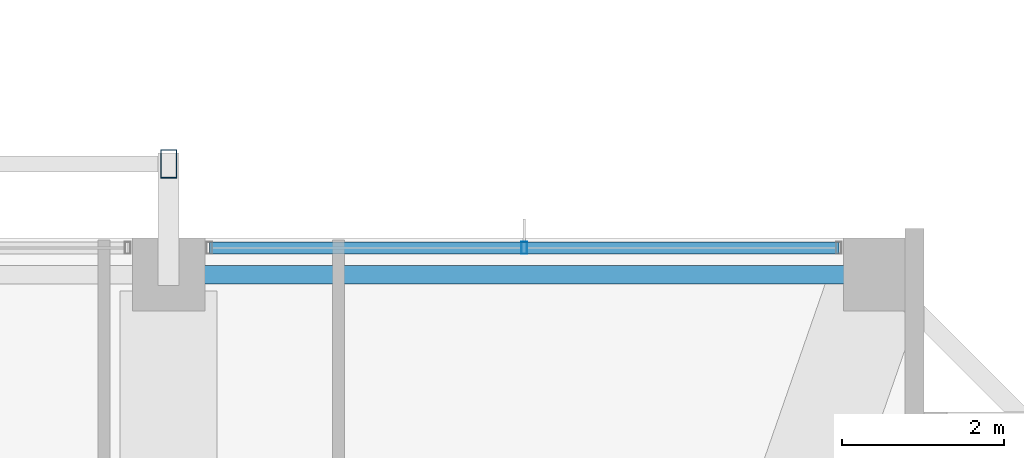
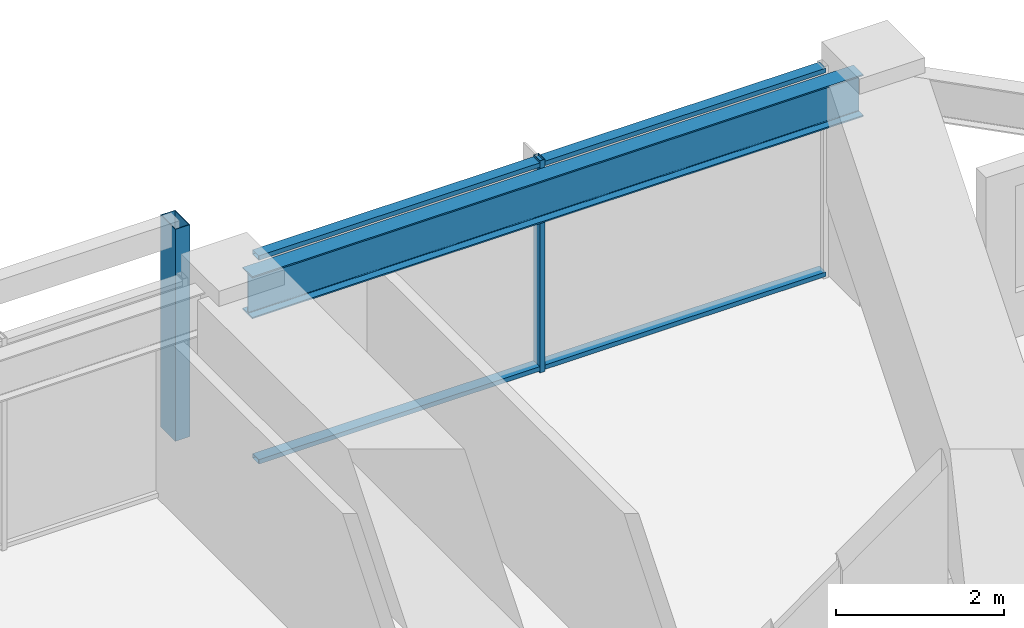
# One storey, part 21 of 37: 4 members, 1 beam, 1 element without a shape of its own.
"""IFC4 building model written with IfcOpenShell, lengths in metres."""

from ifc_helpers import new_model, si_unit, direction, frame, origin, origin_2d, place, context, subcontext, project, spatial, hollow_rectangle, i_section, extrude, material, material_profile, profile_set, type_object, element, aggregate, save


model = new_model("IFC4")

# Units and contexts
model_context = context("Model", 3, precision=1e-05, world=origin(), true_north=direction((0.0, 1.0)))
body_context = subcontext(model_context, "Body", "Model", "MODEL_VIEW")
ifc_project = project(units=[si_unit("LENGTHUNIT", "METRE"), si_unit("AREAUNIT", "SQUARE_METRE"), si_unit("VOLUMEUNIT", "CUBIC_METRE"), si_unit("PLANEANGLEUNIT", "RADIAN"), si_unit("MASSUNIT", "GRAM", prefix="KILO")], contexts=[model_context])

# Site, building, storey
site_placement = place(None, origin())
site = spatial("IfcSite", under=ifc_project, at=site_placement, CompositionType="ELEMENT")
building_placement = place(site_placement, origin())
building = spatial("IfcBuilding", under=site, at=building_placement, Name="Kolvaren Belvedere", CompositionType="ELEMENT")
storey_placement = place(building_placement, frame((0.0, 0.0, 186.60009765625)))
storey = spatial("IfcBuildingStorey", under=building, at=storey_placement, Name="L54", CompositionType="ELEMENT", Elevation=186.60009765625)

# Beam
ifc_material_1 = material(Name="Structural steel ASTM A992 Grade 50", Category="steel")
ifc_material_profile_1 = material_profile(ifc_material_1, i_section(OverallWidth=0.22900390625, OverallDepth=0.612060546875, WebThickness=0.011962890625, FlangeThickness=0.01953125, FilletRadius=0.01806640625, at=origin_2d()), Name="W24X84")
ifc_profile_set_1 = profile_set([ifc_material_profile_1], Name="Structural steel ASTM A992 Grade 50")
beam_type = type_object("IfcBeamType", Name="BM-SPAN-W24X84", PredefinedType="SPANDREL", material=ifc_profile_set_1)
beam_placement = place(storey_placement, frame((13.197509765625, 19.949951171875, 2.77392578125), z_axis=(-1.0, 0.0, 0.0), x_axis=(0.0, -1.0, 0.0)))
element("IfcBeam", 1, at=beam_placement, inside=storey, type_object=beam_type, Name="L54 Perimeter Spandrel N4-N3", PredefinedType="SPANDREL", context=body_context, shape_type="SweptSolid", body=[
    extrude(i_section(OverallWidth=0.22900390625, OverallDepth=0.612060546875, WebThickness=0.011962890625, FlangeThickness=0.01953125, FilletRadius=0.01806640625, at=origin_2d()), origin(), (0.0, 0.0, 1.0), 8.39501953125),
])

# Curtain wall, members
ifc_material_2 = material(Name="Anodised pale-metal aluminium AA 6063-T6", Category="aluminium")
curtain_wall_type = type_object("IfcCurtainWallType", Name="CW-Z5-HIGH", PredefinedType="NOTDEFINED", material=ifc_material_2)
curtain_wall_placement = place(storey_placement, origin())
curtain_wall = element("IfcCurtainWall", 2, at=curtain_wall_placement, inside=storey, type_object=curtain_wall_type, Name="L54 Unitised Curtain Wall FCW-L54-N2-B2", PredefinedType="NOTDEFINED")
ifc_material_3 = material(Name="Anodised pale-metal aluminium AA 6063-T6", Category="aluminium")
ifc_material_profile_2 = material_profile(ifc_material_3, hollow_rectangle(XDim=0.070068359375, YDim=0.14990234375, WallThickness=0.004150390625, at=origin_2d()), Name="ALU-MUL-150X70")
ifc_profile_set_2 = profile_set([ifc_material_profile_2], Name="Anodised pale-metal aluminium AA 6063-T6")
member_type_1 = type_object("IfcMemberType", Name="CW-MUL-150", PredefinedType="MULLION", material=ifc_profile_set_2)
member_1_placement = place(storey_placement, frame((9.0, 20.280029296875, 0.0), z_axis=(0.0, 0.0, 1.0), x_axis=(1.0, 0.0, 0.0)))
member_1 = element("IfcMember", 3, at=member_1_placement, type_object=member_type_1, Name="FCW-L54-N2-B2 Unitised Mullion 2", PredefinedType="MULLION", context=body_context, shape_type="SweptSolid", body=[
    extrude(hollow_rectangle(XDim=0.070068359375, YDim=0.14990234375, WallThickness=0.004150390625, at=origin_2d()), origin(), (0.0, 0.0, 1.0), 3.079833984375),
])
ifc_material_4 = material(Name="Anodised pale-metal aluminium AA 6063-T6", Category="aluminium")
ifc_material_profile_3 = material_profile(ifc_material_4, hollow_rectangle(XDim=0.06494140625, YDim=0.14990234375, WallThickness=0.00390625, at=origin_2d()), Name="ALU-TRN-150X65")
ifc_profile_set_3 = profile_set([ifc_material_profile_3], Name="Anodised pale-metal aluminium AA 6063-T6")
member_type_2 = type_object("IfcMemberType", Name="CW-TRN-150", PredefinedType="USERDEFINED", material=ifc_profile_set_3)
member_2_placement = place(storey_placement, frame((5.10498046875, 20.280029296875, 0.059814453125), z_axis=(1.0, 0.0, 0.0), x_axis=(0.0, 0.0, 1.0)))
member_2 = element("IfcMember", 4, at=member_2_placement, type_object=member_type_2, Name="FCW-L54-N2-B2 Sill Transom", ObjectType="TRANSOM", PredefinedType="USERDEFINED", context=body_context, shape_type="SweptSolid", body=[
    extrude(hollow_rectangle(XDim=0.06494140625, YDim=0.14990234375, WallThickness=0.00390625, at=origin_2d()), origin(), (0.0, 0.0, 1.0), 7.7900390625),
])
member_3_placement = place(storey_placement, frame((5.10498046875, 20.280029296875, 3.02001953125), z_axis=(1.0, 0.0, 0.0), x_axis=(0.0, 0.0, 1.0)))
member_3 = element("IfcMember", 5, at=member_3_placement, type_object=member_type_2, Name="FCW-L54-N2-B2 Head Transom", ObjectType="TRANSOM", PredefinedType="USERDEFINED", context=body_context, shape_type="SweptSolid", body=[
    extrude(hollow_rectangle(XDim=0.06494140625, YDim=0.14990234375, WallThickness=0.00390625, at=origin_2d()), origin(), (0.0, 0.0, 1.0), 7.7900390625),
])
aggregate(curtain_wall, [member_1, member_2, member_3])

# Member
ifc_material_5 = material(Name="Anodised pale-metal aluminium AA 6063-T6", Category="aluminium")
ifc_material_profile_4 = material_profile(ifc_material_5, hollow_rectangle(XDim=0.199951171875, YDim=0.35009765625, WallThickness=0.007568359375, at=origin_2d()), Name="ALU-PF-350X200")
ifc_profile_set_4 = profile_set([ifc_material_profile_4], Name="Anodised pale-metal aluminium AA 6063-T6")
member_type_3 = type_object("IfcMemberType", Name="PF-FRAME-350", PredefinedType="USERDEFINED", material=ifc_profile_set_4)
member_4_placement = place(storey_placement, frame((4.60009765625, 21.320068359375, 0.0), z_axis=(0.0, 0.0, 1.0), x_axis=(1.0, 0.0, 0.0)))
element("IfcMember", 6, at=member_4_placement, inside=storey, type_object=member_type_3, Name="L54 Outboard Picture-Frame Vertical N2", ObjectType="PICTURE FRAME FIN", PredefinedType="USERDEFINED", context=body_context, shape_type="SweptSolid", body=[
    extrude(hollow_rectangle(XDim=0.199951171875, YDim=0.35009765625, WallThickness=0.007568359375, at=origin_2d()), origin(), (0.0, 0.0, 1.0), 3.079833984375),
])

save(model, "model.ifc")
